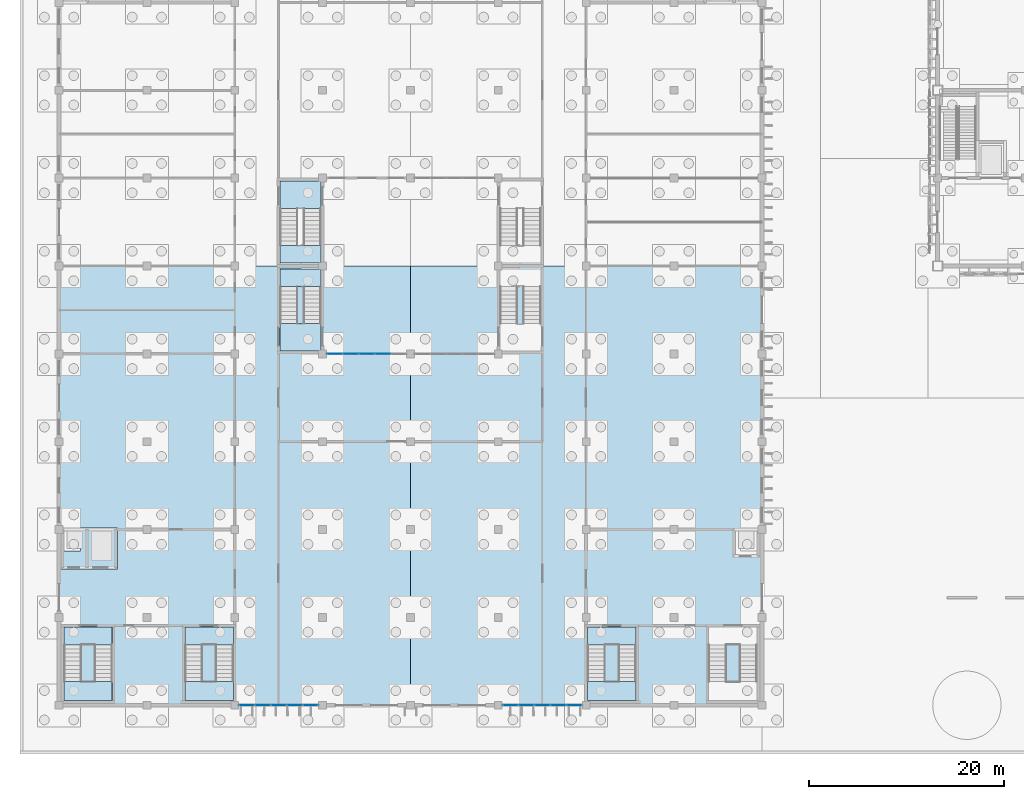
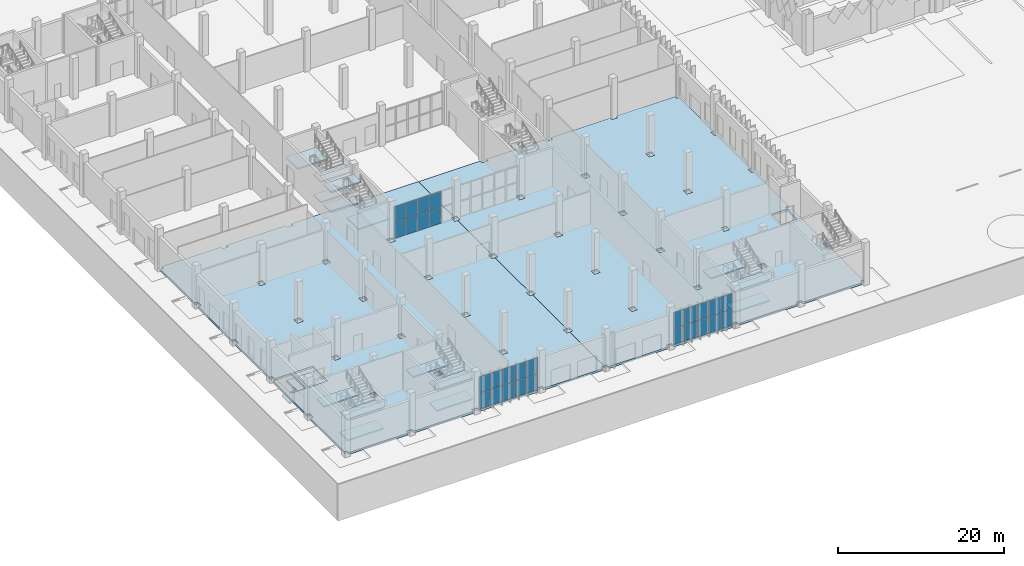
# One storey, part 65 of 198: 28 plates, 18 slabs, 8 elements without a shape of their own.
"""IFC4 building model written with IfcOpenShell, lengths in metres."""

from ifc_helpers import new_model, si_unit, direction, frame, origin, origin_2d, place, context, subcontext, project, spatial, polyline, rectangle, outline, extrude, material, layer, layer_set, type_object, element, aggregate, save


model = new_model("IFC4")

# Units and contexts
model_context = context("Model", 3, precision=1e-05, world=origin(), true_north=direction((0.0, 1.0)))
body_context = subcontext(model_context, "Body", "Model", "MODEL_VIEW")
ifc_project = project(units=[si_unit("LENGTHUNIT", "METRE"), si_unit("AREAUNIT", "SQUARE_METRE"), si_unit("VOLUMEUNIT", "CUBIC_METRE"), si_unit("PLANEANGLEUNIT", "RADIAN"), si_unit("MASSUNIT", "GRAM", prefix="KILO")], contexts=[model_context])

# Site, building, storey
site_placement = place(None, origin())
site = spatial("IfcSite", under=ifc_project, at=site_placement, CompositionType="ELEMENT")
building_placement = place(site_placement, origin())
building = spatial("IfcBuilding", under=site, at=building_placement, Name="Opaline Strait Convention Centre", CompositionType="ELEMENT")
storey_placement = place(building_placement, origin())
storey = spatial("IfcBuildingStorey", under=building, at=storey_placement, Name="L00", CompositionType="ELEMENT", Elevation=0.0)

# Curtain wall, plates
ifc_material_1 = material(Name="Aluminium framed double glazing", Category="aluminium")
ifc_layer_1 = layer(ifc_material_1, 0.199951171875)
ifc_layer_set_1 = layer_set([ifc_layer_1], Name="Aluminium framed double glazing")
curtain_wall_type = type_object("IfcCurtainWallType", Name="Curtain wall 1500 module", PredefinedType="NOTDEFINED", material=ifc_layer_set_1)
curtain_wall_1_placement = place(storey_placement, origin())
curtain_wall_1 = element("IfcCurtainWall", 1, at=curtain_wall_1_placement, inside=storey, type_object=curtain_wall_type, Name="L00 S facade glazing bay 3", PredefinedType="NOTDEFINED")
ifc_material_2 = material(Name="Double glazed unit low emissivity", Category="glass")
ifc_layer_2 = layer(ifc_material_2, 0.028076171875)
ifc_layer_set_2 = layer_set([ifc_layer_2], Name="Double glazed unit low emissivity")
plate_type = type_object("IfcPlateType", Name="Curtain wall glass panel 28", PredefinedType="CURTAIN_PANEL", material=ifc_layer_set_2)
plate_1_placement = place(storey_placement, frame((28.23486328125, 9.0, 0.06005859375), z_axis=(0.0, 0.0, 1.0), x_axis=(1.0, 0.0, 0.0)))
plate_1 = element("IfcPlate", 2, at=plate_1_placement, type_object=plate_type, Name="RCW1 panel 1.1", PredefinedType="CURTAIN_PANEL", context=body_context, shape_type="SweptSolid", body=[
    extrude(rectangle(XDim=1.550048828125, YDim=0.028076171875, at=origin_2d()), origin(), (0.0, 0.0, 1.0), 2.320068359375),
])
plate_2_placement = place(storey_placement, frame((28.23486328125, 9.0, 2.43994140625), z_axis=(0.0, 0.0, 1.0), x_axis=(1.0, 0.0, 0.0)))
plate_2 = element("IfcPlate", 3, at=plate_2_placement, type_object=plate_type, Name="RCW1 panel 1.2", PredefinedType="CURTAIN_PANEL", context=body_context, shape_type="SweptSolid", body=[
    extrude(rectangle(XDim=1.550048828125, YDim=0.028076171875, at=origin_2d()), origin(), (0.0, 0.0, 1.0), 2.320068359375),
])
plate_3_placement = place(storey_placement, frame((29.85986328125, 9.0, 0.06005859375), z_axis=(0.0, 0.0, 1.0), x_axis=(1.0, 0.0, 0.0)))
plate_3 = element("IfcPlate", 4, at=plate_3_placement, type_object=plate_type, Name="RCW1 panel 2.1", PredefinedType="CURTAIN_PANEL", context=body_context, shape_type="SweptSolid", body=[
    extrude(rectangle(XDim=1.580078125, YDim=0.028076171875, at=origin_2d()), origin(), (0.0, 0.0, 1.0), 2.320068359375),
])
plate_4_placement = place(storey_placement, frame((29.85986328125, 9.0, 2.43994140625), z_axis=(0.0, 0.0, 1.0), x_axis=(1.0, 0.0, 0.0)))
plate_4 = element("IfcPlate", 5, at=plate_4_placement, type_object=plate_type, Name="RCW1 panel 2.2", PredefinedType="CURTAIN_PANEL", context=body_context, shape_type="SweptSolid", body=[
    extrude(rectangle(XDim=1.580078125, YDim=0.028076171875, at=origin_2d()), origin(), (0.0, 0.0, 1.0), 2.320068359375),
])
plate_5_placement = place(storey_placement, frame((31.5, 9.0, 0.06005859375), z_axis=(0.0, 0.0, 1.0), x_axis=(1.0, 0.0, 0.0)))
plate_5 = element("IfcPlate", 6, at=plate_5_placement, type_object=plate_type, Name="RCW1 panel 3.1", PredefinedType="CURTAIN_PANEL", context=body_context, shape_type="SweptSolid", body=[
    extrude(rectangle(XDim=1.580078125, YDim=0.028076171875, at=origin_2d()), origin(), (0.0, 0.0, 1.0), 2.320068359375),
])
plate_6_placement = place(storey_placement, frame((31.5, 9.0, 2.43994140625), z_axis=(0.0, 0.0, 1.0), x_axis=(1.0, 0.0, 0.0)))
plate_6 = element("IfcPlate", 7, at=plate_6_placement, type_object=plate_type, Name="RCW1 panel 3.2", PredefinedType="CURTAIN_PANEL", context=body_context, shape_type="SweptSolid", body=[
    extrude(rectangle(XDim=1.580078125, YDim=0.028076171875, at=origin_2d()), origin(), (0.0, 0.0, 1.0), 2.320068359375),
])
plate_7_placement = place(storey_placement, frame((33.14013671875, 9.0, 0.06005859375), z_axis=(0.0, 0.0, 1.0), x_axis=(1.0, 0.0, 0.0)))
plate_7 = element("IfcPlate", 8, at=plate_7_placement, type_object=plate_type, Name="RCW1 panel 4.1", PredefinedType="CURTAIN_PANEL", context=body_context, shape_type="SweptSolid", body=[
    extrude(rectangle(XDim=1.580078125, YDim=0.028076171875, at=origin_2d()), origin(), (0.0, 0.0, 1.0), 2.320068359375),
])
plate_8_placement = place(storey_placement, frame((33.14013671875, 9.0, 2.43994140625), z_axis=(0.0, 0.0, 1.0), x_axis=(1.0, 0.0, 0.0)))
plate_8 = element("IfcPlate", 9, at=plate_8_placement, type_object=plate_type, Name="RCW1 panel 4.2", PredefinedType="CURTAIN_PANEL", context=body_context, shape_type="SweptSolid", body=[
    extrude(rectangle(XDim=1.580078125, YDim=0.028076171875, at=origin_2d()), origin(), (0.0, 0.0, 1.0), 2.320068359375),
])
plate_9_placement = place(storey_placement, frame((34.76513671875, 9.0, 0.06005859375), z_axis=(0.0, 0.0, 1.0), x_axis=(1.0, 0.0, 0.0)))
plate_9 = element("IfcPlate", 10, at=plate_9_placement, type_object=plate_type, Name="RCW1 panel 5.1", PredefinedType="CURTAIN_PANEL", context=body_context, shape_type="SweptSolid", body=[
    extrude(rectangle(XDim=1.550048828125, YDim=0.028076171875, at=origin_2d()), origin(), (0.0, 0.0, 1.0), 2.320068359375),
])
plate_10_placement = place(storey_placement, frame((34.76513671875, 9.0, 2.43994140625), z_axis=(0.0, 0.0, 1.0), x_axis=(1.0, 0.0, 0.0)))
plate_10 = element("IfcPlate", 11, at=plate_10_placement, type_object=plate_type, Name="RCW1 panel 5.2", PredefinedType="CURTAIN_PANEL", context=body_context, shape_type="SweptSolid", body=[
    extrude(rectangle(XDim=1.550048828125, YDim=0.028076171875, at=origin_2d()), origin(), (0.0, 0.0, 1.0), 2.320068359375),
])
aggregate(curtain_wall_1, [plate_1, plate_2, plate_3, plate_4, plate_5, plate_6, plate_7, plate_8, plate_9, plate_10])

curtain_wall_2_placement = place(storey_placement, origin())
curtain_wall_2 = element("IfcCurtainWall", 12, at=curtain_wall_2_placement, inside=storey, type_object=curtain_wall_type, Name="L00 S facade glazing bay 6", PredefinedType="NOTDEFINED")
plate_11_placement = place(storey_placement, frame((55.23486328125, 9.0, 0.06005859375), z_axis=(0.0, 0.0, 1.0), x_axis=(1.0, 0.0, 0.0)))
plate_11 = element("IfcPlate", 13, at=plate_11_placement, type_object=plate_type, Name="RCW1 panel 1.1", PredefinedType="CURTAIN_PANEL", context=body_context, shape_type="SweptSolid", body=[
    extrude(rectangle(XDim=1.550048828125, YDim=0.028076171875, at=origin_2d()), origin(), (0.0, 0.0, 1.0), 2.320068359375),
])
plate_12_placement = place(storey_placement, frame((55.23486328125, 9.0, 2.43994140625), z_axis=(0.0, 0.0, 1.0), x_axis=(1.0, 0.0, 0.0)))
plate_12 = element("IfcPlate", 14, at=plate_12_placement, type_object=plate_type, Name="RCW1 panel 1.2", PredefinedType="CURTAIN_PANEL", context=body_context, shape_type="SweptSolid", body=[
    extrude(rectangle(XDim=1.550048828125, YDim=0.028076171875, at=origin_2d()), origin(), (0.0, 0.0, 1.0), 2.320068359375),
])
plate_13_placement = place(storey_placement, frame((56.85986328125, 9.0, 0.06005859375), z_axis=(0.0, 0.0, 1.0), x_axis=(1.0, 0.0, 0.0)))
plate_13 = element("IfcPlate", 15, at=plate_13_placement, type_object=plate_type, Name="RCW1 panel 2.1", PredefinedType="CURTAIN_PANEL", context=body_context, shape_type="SweptSolid", body=[
    extrude(rectangle(XDim=1.580078125, YDim=0.028076171875, at=origin_2d()), origin(), (0.0, 0.0, 1.0), 2.320068359375),
])
plate_14_placement = place(storey_placement, frame((56.85986328125, 9.0, 2.43994140625), z_axis=(0.0, 0.0, 1.0), x_axis=(1.0, 0.0, 0.0)))
plate_14 = element("IfcPlate", 16, at=plate_14_placement, type_object=plate_type, Name="RCW1 panel 2.2", PredefinedType="CURTAIN_PANEL", context=body_context, shape_type="SweptSolid", body=[
    extrude(rectangle(XDim=1.580078125, YDim=0.028076171875, at=origin_2d()), origin(), (0.0, 0.0, 1.0), 2.320068359375),
])
plate_15_placement = place(storey_placement, frame((58.5, 9.0, 0.06005859375), z_axis=(0.0, 0.0, 1.0), x_axis=(1.0, 0.0, 0.0)))
plate_15 = element("IfcPlate", 17, at=plate_15_placement, type_object=plate_type, Name="RCW1 panel 3.1", PredefinedType="CURTAIN_PANEL", context=body_context, shape_type="SweptSolid", body=[
    extrude(rectangle(XDim=1.580078125, YDim=0.028076171875, at=origin_2d()), origin(), (0.0, 0.0, 1.0), 2.320068359375),
])
plate_16_placement = place(storey_placement, frame((58.5, 9.0, 2.43994140625), z_axis=(0.0, 0.0, 1.0), x_axis=(1.0, 0.0, 0.0)))
plate_16 = element("IfcPlate", 18, at=plate_16_placement, type_object=plate_type, Name="RCW1 panel 3.2", PredefinedType="CURTAIN_PANEL", context=body_context, shape_type="SweptSolid", body=[
    extrude(rectangle(XDim=1.580078125, YDim=0.028076171875, at=origin_2d()), origin(), (0.0, 0.0, 1.0), 2.320068359375),
])
plate_17_placement = place(storey_placement, frame((60.14013671875, 9.0, 0.06005859375), z_axis=(0.0, 0.0, 1.0), x_axis=(1.0, 0.0, 0.0)))
plate_17 = element("IfcPlate", 19, at=plate_17_placement, type_object=plate_type, Name="RCW1 panel 4.1", PredefinedType="CURTAIN_PANEL", context=body_context, shape_type="SweptSolid", body=[
    extrude(rectangle(XDim=1.580078125, YDim=0.028076171875, at=origin_2d()), origin(), (0.0, 0.0, 1.0), 2.320068359375),
])
plate_18_placement = place(storey_placement, frame((60.14013671875, 9.0, 2.43994140625), z_axis=(0.0, 0.0, 1.0), x_axis=(1.0, 0.0, 0.0)))
plate_18 = element("IfcPlate", 20, at=plate_18_placement, type_object=plate_type, Name="RCW1 panel 4.2", PredefinedType="CURTAIN_PANEL", context=body_context, shape_type="SweptSolid", body=[
    extrude(rectangle(XDim=1.580078125, YDim=0.028076171875, at=origin_2d()), origin(), (0.0, 0.0, 1.0), 2.320068359375),
])
plate_19_placement = place(storey_placement, frame((61.76513671875, 9.0, 0.06005859375), z_axis=(0.0, 0.0, 1.0), x_axis=(1.0, 0.0, 0.0)))
plate_19 = element("IfcPlate", 21, at=plate_19_placement, type_object=plate_type, Name="RCW1 panel 5.1", PredefinedType="CURTAIN_PANEL", context=body_context, shape_type="SweptSolid", body=[
    extrude(rectangle(XDim=1.550048828125, YDim=0.028076171875, at=origin_2d()), origin(), (0.0, 0.0, 1.0), 2.320068359375),
])
plate_20_placement = place(storey_placement, frame((61.76513671875, 9.0, 2.43994140625), z_axis=(0.0, 0.0, 1.0), x_axis=(1.0, 0.0, 0.0)))
plate_20 = element("IfcPlate", 22, at=plate_20_placement, type_object=plate_type, Name="RCW1 panel 5.2", PredefinedType="CURTAIN_PANEL", context=body_context, shape_type="SweptSolid", body=[
    extrude(rectangle(XDim=1.550048828125, YDim=0.028076171875, at=origin_2d()), origin(), (0.0, 0.0, 1.0), 2.320068359375),
])
aggregate(curtain_wall_2, [plate_11, plate_12, plate_13, plate_14, plate_15, plate_16, plate_17, plate_18, plate_19, plate_20])

curtain_wall_3_placement = place(storey_placement, origin())
curtain_wall_3 = element("IfcCurtainWall", 23, at=curtain_wall_3_placement, inside=storey, type_object=curtain_wall_type, Name="L00 court glazing Sc 1", PredefinedType="NOTDEFINED")
plate_21_placement = place(storey_placement, frame((37.23486328125, 45.0, 0.06005859375), z_axis=(0.0, 0.0, 1.0), x_axis=(1.0, 0.0, 0.0)))
plate_21 = element("IfcPlate", 24, at=plate_21_placement, type_object=plate_type, Name="RCW1 panel 1.1", PredefinedType="CURTAIN_PANEL", context=body_context, shape_type="SweptSolid", body=[
    extrude(rectangle(XDim=1.550048828125, YDim=0.028076171875, at=origin_2d()), origin(), (0.0, 0.0, 1.0), 2.320068359375),
])
plate_22_placement = place(storey_placement, frame((37.23486328125, 45.0, 2.43994140625), z_axis=(0.0, 0.0, 1.0), x_axis=(1.0, 0.0, 0.0)))
plate_22 = element("IfcPlate", 25, at=plate_22_placement, type_object=plate_type, Name="RCW1 panel 1.2", PredefinedType="CURTAIN_PANEL", context=body_context, shape_type="SweptSolid", body=[
    extrude(rectangle(XDim=1.550048828125, YDim=0.028076171875, at=origin_2d()), origin(), (0.0, 0.0, 1.0), 2.320068359375),
])
plate_23_placement = place(storey_placement, frame((38.85986328125, 45.0, 0.06005859375), z_axis=(0.0, 0.0, 1.0), x_axis=(1.0, 0.0, 0.0)))
plate_23 = element("IfcPlate", 26, at=plate_23_placement, type_object=plate_type, Name="RCW1 panel 2.1", PredefinedType="CURTAIN_PANEL", context=body_context, shape_type="SweptSolid", body=[
    extrude(rectangle(XDim=1.580078125, YDim=0.028076171875, at=origin_2d()), origin(), (0.0, 0.0, 1.0), 2.320068359375),
])
plate_24_placement = place(storey_placement, frame((38.85986328125, 45.0, 2.43994140625), z_axis=(0.0, 0.0, 1.0), x_axis=(1.0, 0.0, 0.0)))
plate_24 = element("IfcPlate", 27, at=plate_24_placement, type_object=plate_type, Name="RCW1 panel 2.2", PredefinedType="CURTAIN_PANEL", context=body_context, shape_type="SweptSolid", body=[
    extrude(rectangle(XDim=1.580078125, YDim=0.028076171875, at=origin_2d()), origin(), (0.0, 0.0, 1.0), 2.320068359375),
])
plate_25_placement = place(storey_placement, frame((40.5, 45.0, 0.06005859375), z_axis=(0.0, 0.0, 1.0), x_axis=(1.0, 0.0, 0.0)))
plate_25 = element("IfcPlate", 28, at=plate_25_placement, type_object=plate_type, Name="RCW1 panel 3.1", PredefinedType="CURTAIN_PANEL", context=body_context, shape_type="SweptSolid", body=[
    extrude(rectangle(XDim=1.580078125, YDim=0.028076171875, at=origin_2d()), origin(), (0.0, 0.0, 1.0), 2.320068359375),
])
plate_26_placement = place(storey_placement, frame((40.5, 45.0, 2.43994140625), z_axis=(0.0, 0.0, 1.0), x_axis=(1.0, 0.0, 0.0)))
plate_26 = element("IfcPlate", 29, at=plate_26_placement, type_object=plate_type, Name="RCW1 panel 3.2", PredefinedType="CURTAIN_PANEL", context=body_context, shape_type="SweptSolid", body=[
    extrude(rectangle(XDim=1.580078125, YDim=0.028076171875, at=origin_2d()), origin(), (0.0, 0.0, 1.0), 2.320068359375),
])
plate_27_placement = place(storey_placement, frame((42.14013671875, 45.0, 0.06005859375), z_axis=(0.0, 0.0, 1.0), x_axis=(1.0, 0.0, 0.0)))
plate_27 = element("IfcPlate", 30, at=plate_27_placement, type_object=plate_type, Name="RCW1 panel 4.1", PredefinedType="CURTAIN_PANEL", context=body_context, shape_type="SweptSolid", body=[
    extrude(rectangle(XDim=1.580078125, YDim=0.028076171875, at=origin_2d()), origin(), (0.0, 0.0, 1.0), 2.320068359375),
])
plate_28_placement = place(storey_placement, frame((42.14013671875, 45.0, 2.43994140625), z_axis=(0.0, 0.0, 1.0), x_axis=(1.0, 0.0, 0.0)))
plate_28 = element("IfcPlate", 31, at=plate_28_placement, type_object=plate_type, Name="RCW1 panel 4.2", PredefinedType="CURTAIN_PANEL", context=body_context, shape_type="SweptSolid", body=[
    extrude(rectangle(XDim=1.580078125, YDim=0.028076171875, at=origin_2d()), origin(), (0.0, 0.0, 1.0), 2.320068359375),
])
aggregate(curtain_wall_3, [plate_21, plate_22, plate_23, plate_24, plate_25, plate_26, plate_27, plate_28])

# Slabs
ifc_material_3 = material(Name="Concrete C35", Category="concrete")
ifc_layer_3 = layer(ifc_material_3, 0.300048828125)
ifc_layer_set_3 = layer_set([ifc_layer_3], Name="Concrete C35")
slab_type_1 = type_object("IfcSlabType", Name="Lift pit slab 300 C35", PredefinedType="BASESLAB", material=ifc_layer_set_3)
slab_1_placement = place(storey_placement, frame((0.0, 0.0, -1.300048828125)))
element("IfcSlab", 32, at=slab_1_placement, inside=storey, type_object=slab_type_1, Name="Lift pit slab SW", PredefinedType="BASESLAB", context=body_context, shape_type="SweptSolid", body=[
    extrude(outline(polyline([(15.0, 27.14990234375), (15.0, 22.949951171875), (12.0, 22.949951171875), (11.699951171875, 22.949951171875), (9.199951171875, 22.949951171875), (9.199951171875, 24.800048828125), (11.199951171875, 24.800048828125), (11.199951171875, 27.14990234375), (11.699951171875, 27.14990234375), (12.0, 27.14990234375), (15.0, 27.14990234375)])), origin(), (0.0, 0.0, 1.0), 0.300048828125),
])
ifc_material_4 = material(Name="Concrete C30", Category="concrete")
ifc_layer_4 = layer(ifc_material_4, 0.300048828125)
ifc_layer_set_4 = layer_set([ifc_layer_4], Name="Concrete C30")
slab_type_2 = type_object("IfcSlabType", Name="RC ground slab 300 C30", PredefinedType="BASESLAB", material=ifc_layer_set_4)
slab_2_placement = place(storey_placement, frame((0.0, 0.0, -0.300048828125)))
element("IfcSlab", 33, at=slab_2_placement, inside=storey, type_object=slab_type_2, Name="MGS1 slab L00 pour SW1", PredefinedType="BASESLAB", context=body_context, shape_type="SweptSolid", body=[
    extrude(outline(polyline([(44.60009765625, 9.39990234375), (44.60009765625, 9.0), (36.39990234375, 9.0), (36.39990234375, 9.39990234375), (35.60009765625, 9.39990234375), (35.60009765625, 9.0), (27.39990234375, 9.0), (27.39990234375, 9.39990234375), (26.60009765625, 9.39990234375), (26.60009765625, 9.0), (18.39990234375, 9.0), (18.39990234375, 9.39990234375), (17.60009765625, 9.39990234375), (17.60009765625, 9.0), (9.39990234375, 9.0), (9.39990234375, 9.39990234375), (9.0, 9.39990234375), (9.0, 17.60009765625), (9.39990234375, 17.60009765625), (9.39990234375, 18.39990234375), (9.0, 18.39990234375), (9.0, 26.60009765625), (9.39990234375, 26.60009765625), (9.39990234375, 27.39990234375), (9.0, 27.39990234375), (9.0, 35.60009765625), (9.39990234375, 35.60009765625), (9.39990234375, 36.39990234375), (9.0, 36.39990234375), (9.0, 44.60009765625), (9.39990234375, 44.60009765625), (9.39990234375, 45.39990234375), (9.0, 45.39990234375), (9.0, 53.60009765625), (9.39990234375, 53.60009765625), (9.39990234375, 54.0), (17.60009765625, 54.0), (17.60009765625, 53.60009765625), (18.39990234375, 53.60009765625), (18.39990234375, 54.0), (26.60009765625, 54.0), (26.60009765625, 53.60009765625), (27.39990234375, 53.60009765625), (27.39990234375, 54.0), (35.60009765625, 54.0), (35.60009765625, 53.60009765625), (36.39990234375, 53.60009765625), (36.39990234375, 54.0), (45.0, 54.0), (45.0, 45.39990234375), (44.60009765625, 45.39990234375), (44.60009765625, 44.60009765625), (45.0, 44.60009765625), (45.0, 36.39990234375), (44.60009765625, 36.39990234375), (44.60009765625, 35.60009765625), (45.0, 35.60009765625), (45.0, 27.39990234375), (44.60009765625, 27.39990234375), (44.60009765625, 26.60009765625), (45.0, 26.60009765625), (45.0, 18.39990234375), (44.60009765625, 18.39990234375), (44.60009765625, 17.60009765625), (45.0, 17.60009765625), (45.0, 9.39990234375), (44.60009765625, 9.39990234375)]), holes=[polyline([(18.39990234375, 17.60009765625), (18.39990234375, 18.39990234375), (17.60009765625, 18.39990234375), (17.60009765625, 17.60009765625), (18.39990234375, 17.60009765625)]), polyline([(12.0, 23.25), (14.699951171875, 23.25), (14.699951171875, 26.85009765625), (12.0, 26.85009765625), (12.0, 23.25)]), polyline([(9.5, 23.25), (11.699951171875, 23.25), (11.699951171875, 26.85009765625), (9.5, 26.85009765625), (9.5, 23.25)]), polyline([(17.60009765625, 26.60009765625), (18.39990234375, 26.60009765625), (18.39990234375, 27.39990234375), (17.60009765625, 27.39990234375), (17.60009765625, 26.60009765625)]), polyline([(26.60009765625, 35.60009765625), (27.39990234375, 35.60009765625), (27.39990234375, 36.39990234375), (26.60009765625, 36.39990234375), (26.60009765625, 35.60009765625)]), polyline([(17.60009765625, 35.60009765625), (18.39990234375, 35.60009765625), (18.39990234375, 36.39990234375), (17.60009765625, 36.39990234375), (17.60009765625, 35.60009765625)]), polyline([(17.60009765625, 44.60009765625), (18.39990234375, 44.60009765625), (18.39990234375, 45.39990234375), (17.60009765625, 45.39990234375), (17.60009765625, 44.60009765625)]), polyline([(27.39990234375, 17.60009765625), (27.39990234375, 18.39990234375), (26.60009765625, 18.39990234375), (26.60009765625, 17.60009765625), (27.39990234375, 17.60009765625)]), polyline([(35.60009765625, 17.60009765625), (36.39990234375, 17.60009765625), (36.39990234375, 18.39990234375), (35.60009765625, 18.39990234375), (35.60009765625, 17.60009765625)]), polyline([(26.60009765625, 26.60009765625), (27.39990234375, 26.60009765625), (27.39990234375, 27.39990234375), (26.60009765625, 27.39990234375), (26.60009765625, 26.60009765625)]), polyline([(36.39990234375, 26.60009765625), (36.39990234375, 27.39990234375), (35.60009765625, 27.39990234375), (35.60009765625, 26.60009765625), (36.39990234375, 26.60009765625)]), polyline([(35.60009765625, 35.60009765625), (36.39990234375, 35.60009765625), (36.39990234375, 36.39990234375), (35.60009765625, 36.39990234375), (35.60009765625, 35.60009765625)]), polyline([(26.60009765625, 44.60009765625), (27.39990234375, 44.60009765625), (27.39990234375, 45.39990234375), (26.60009765625, 45.39990234375), (26.60009765625, 44.60009765625)]), polyline([(35.60009765625, 44.60009765625), (36.39990234375, 44.60009765625), (36.39990234375, 45.39990234375), (35.60009765625, 45.39990234375), (35.60009765625, 44.60009765625)])]), origin(), (0.0, 0.0, 1.0), 0.300048828125),
])
slab_3_placement = place(storey_placement, frame((0.0, 0.0, -0.300048828125)))
element("IfcSlab", 34, at=slab_3_placement, inside=storey, type_object=slab_type_2, Name="MGS1 slab L00 pour SE1", PredefinedType="BASESLAB", context=body_context, shape_type="SweptSolid", body=[
    extrude(outline(polyline([(80.60009765625, 9.39990234375), (80.60009765625, 9.0), (72.39990234375, 9.0), (72.39990234375, 9.39990234375), (71.60009765625, 9.39990234375), (71.60009765625, 9.0), (63.39990234375, 9.0), (63.39990234375, 9.39990234375), (62.60009765625, 9.39990234375), (62.60009765625, 9.0), (54.39990234375, 9.0), (54.39990234375, 9.39990234375), (53.60009765625, 9.39990234375), (53.60009765625, 9.0), (45.39990234375, 9.0), (45.39990234375, 9.39990234375), (45.0, 9.39990234375), (45.0, 17.60009765625), (45.39990234375, 17.60009765625), (45.39990234375, 18.39990234375), (45.0, 18.39990234375), (45.0, 26.60009765625), (45.39990234375, 26.60009765625), (45.39990234375, 27.39990234375), (45.0, 27.39990234375), (45.0, 35.60009765625), (45.39990234375, 35.60009765625), (45.39990234375, 36.39990234375), (45.0, 36.39990234375), (45.0, 44.60009765625), (45.39990234375, 44.60009765625), (45.39990234375, 45.39990234375), (45.0, 45.39990234375), (45.0, 54.0), (53.60009765625, 54.0), (53.60009765625, 53.60009765625), (54.39990234375, 53.60009765625), (54.39990234375, 54.0), (62.60009765625, 54.0), (62.60009765625, 53.60009765625), (63.39990234375, 53.60009765625), (63.39990234375, 54.0), (71.60009765625, 54.0), (71.60009765625, 53.60009765625), (72.39990234375, 53.60009765625), (72.39990234375, 54.0), (80.60009765625, 54.0), (80.60009765625, 53.60009765625), (81.0, 53.60009765625), (81.0, 45.39990234375), (80.60009765625, 45.39990234375), (80.60009765625, 44.60009765625), (81.0, 44.60009765625), (81.0, 36.39990234375), (80.60009765625, 36.39990234375), (80.60009765625, 35.60009765625), (81.0, 35.60009765625), (81.0, 27.39990234375), (80.60009765625, 27.39990234375), (80.60009765625, 26.60009765625), (81.0, 26.60009765625), (81.0, 18.39990234375), (80.60009765625, 18.39990234375), (80.60009765625, 17.60009765625), (81.0, 17.60009765625), (81.0, 9.39990234375), (80.60009765625, 9.39990234375)]), holes=[polyline([(63.39990234375, 17.60009765625), (63.39990234375, 18.39990234375), (62.60009765625, 18.39990234375), (62.60009765625, 17.60009765625), (63.39990234375, 17.60009765625)]), polyline([(53.60009765625, 17.60009765625), (54.39990234375, 17.60009765625), (54.39990234375, 18.39990234375), (53.60009765625, 18.39990234375), (53.60009765625, 17.60009765625)]), polyline([(53.60009765625, 26.60009765625), (54.39990234375, 26.60009765625), (54.39990234375, 27.39990234375), (53.60009765625, 27.39990234375), (53.60009765625, 26.60009765625)]), polyline([(63.39990234375, 26.60009765625), (63.39990234375, 27.39990234375), (62.60009765625, 27.39990234375), (62.60009765625, 26.60009765625), (63.39990234375, 26.60009765625)]), polyline([(53.60009765625, 35.60009765625), (54.39990234375, 35.60009765625), (54.39990234375, 36.39990234375), (53.60009765625, 36.39990234375), (53.60009765625, 35.60009765625)]), polyline([(62.60009765625, 44.60009765625), (63.39990234375, 44.60009765625), (63.39990234375, 45.39990234375), (62.60009765625, 45.39990234375), (62.60009765625, 44.60009765625)]), polyline([(53.60009765625, 44.60009765625), (54.39990234375, 44.60009765625), (54.39990234375, 45.39990234375), (53.60009765625, 45.39990234375), (53.60009765625, 44.60009765625)]), polyline([(71.60009765625, 17.60009765625), (72.39990234375, 17.60009765625), (72.39990234375, 18.39990234375), (71.60009765625, 18.39990234375), (71.60009765625, 17.60009765625)]), polyline([(78.300048828125, 24.449951171875), (80.5, 24.449951171875), (80.5, 26.85009765625), (78.300048828125, 26.85009765625), (78.300048828125, 24.449951171875)]), polyline([(72.39990234375, 26.60009765625), (72.39990234375, 27.39990234375), (71.60009765625, 27.39990234375), (71.60009765625, 26.60009765625), (72.39990234375, 26.60009765625)]), polyline([(62.60009765625, 35.60009765625), (63.39990234375, 35.60009765625), (63.39990234375, 36.39990234375), (62.60009765625, 36.39990234375), (62.60009765625, 35.60009765625)]), polyline([(71.60009765625, 35.60009765625), (72.39990234375, 35.60009765625), (72.39990234375, 36.39990234375), (71.60009765625, 36.39990234375), (71.60009765625, 35.60009765625)]), polyline([(71.60009765625, 44.60009765625), (72.39990234375, 44.60009765625), (72.39990234375, 45.39990234375), (71.60009765625, 45.39990234375), (71.60009765625, 44.60009765625)])]), origin(), (0.0, 0.0, 1.0), 0.300048828125),
])

# Stair, slabs
ifc_material_5 = material(Name="Concrete C40", Category="concrete")
stair_type = type_object("IfcStairType", Name="Exit stair two flights 1800 C40", PredefinedType="HALF_TURN_STAIR", material=ifc_material_5)
stair_1_placement = place(storey_placement, origin())
stair_1 = element("IfcStair", 35, at=stair_1_placement, inside=storey, type_object=stair_type, Name="L00 SWA", ObjectType="RST1", PredefinedType="HALF_TURN_STAIR")
ifc_layer_5 = layer(ifc_material_5, 0.199951171875)
ifc_layer_set_5 = layer_set([ifc_layer_5], Name="Concrete C40")
slab_type_3 = type_object("IfcSlabType", Name="Stair landing 200 C40", PredefinedType="LANDING", material=ifc_layer_set_5)
slab_4_placement = place(storey_placement, frame((0.0, 0.0, 1.300048828125)))
slab_4 = element("IfcSlab", 36, at=slab_4_placement, type_object=slab_type_3, Name="SWA landing 1", ObjectType="RSL1", PredefinedType="LANDING", context=body_context, shape_type="SweptSolid", body=[
    extrude(outline(polyline([(9.5, 11.419921875), (9.5, 9.5), (14.449951171875, 9.5), (14.449951171875, 11.419921875), (9.5, 11.419921875)])), origin(), (0.0, 0.0, 1.0), 0.199951171875),
])
slab_5_placement = place(storey_placement, frame((0.0, 0.0, 2.800048828125)))
slab_5 = element("IfcSlab", 37, at=slab_5_placement, type_object=slab_type_3, Name="SWA landing 2", ObjectType="RSL1", PredefinedType="LANDING", context=body_context, shape_type="SweptSolid", body=[
    extrude(outline(polyline([(9.5, 17.0), (9.5, 15.199951171875), (14.449951171875, 15.199951171875), (14.449951171875, 17.0), (9.5, 17.0)])), origin(), (0.0, 0.0, 1.0), 0.199951171875),
])
slab_6_placement = place(storey_placement, frame((0.0, 0.0, 4.300048828125)))
slab_6 = element("IfcSlab", 38, at=slab_6_placement, type_object=slab_type_3, Name="SWA landing 3", ObjectType="RSL1", PredefinedType="LANDING", context=body_context, shape_type="SweptSolid", body=[
    extrude(outline(polyline([(9.5, 11.419921875), (9.5, 9.5), (14.449951171875, 9.5), (14.449951171875, 11.419921875), (9.5, 11.419921875)])), origin(), (0.0, 0.0, 1.0), 0.199951171875),
])
aggregate(stair_1, [slab_4, slab_5, slab_6])

stair_2_placement = place(storey_placement, origin())
stair_2 = element("IfcStair", 39, at=stair_2_placement, inside=storey, type_object=stair_type, Name="L00 SWB", ObjectType="RST1", PredefinedType="HALF_TURN_STAIR")
slab_7_placement = place(storey_placement, frame((0.0, 0.0, 1.300048828125)))
slab_7 = element("IfcSlab", 40, at=slab_7_placement, type_object=slab_type_3, Name="SWB landing 1", ObjectType="RSL1", PredefinedType="LANDING", context=body_context, shape_type="SweptSolid", body=[
    extrude(outline(polyline([(21.89990234375, 11.419921875), (21.89990234375, 9.5), (26.85009765625, 9.5), (26.85009765625, 11.419921875), (21.89990234375, 11.419921875)])), origin(), (0.0, 0.0, 1.0), 0.199951171875),
])
slab_8_placement = place(storey_placement, frame((0.0, 0.0, 2.800048828125)))
slab_8 = element("IfcSlab", 41, at=slab_8_placement, type_object=slab_type_3, Name="SWB landing 2", ObjectType="RSL1", PredefinedType="LANDING", context=body_context, shape_type="SweptSolid", body=[
    extrude(outline(polyline([(21.89990234375, 17.0), (21.89990234375, 15.199951171875), (26.85009765625, 15.199951171875), (26.85009765625, 17.0), (21.89990234375, 17.0)])), origin(), (0.0, 0.0, 1.0), 0.199951171875),
])
slab_9_placement = place(storey_placement, frame((0.0, 0.0, 4.300048828125)))
slab_9 = element("IfcSlab", 42, at=slab_9_placement, type_object=slab_type_3, Name="SWB landing 3", ObjectType="RSL1", PredefinedType="LANDING", context=body_context, shape_type="SweptSolid", body=[
    extrude(outline(polyline([(21.89990234375, 11.419921875), (21.89990234375, 9.5), (26.85009765625, 9.5), (26.85009765625, 11.419921875), (21.89990234375, 11.419921875)])), origin(), (0.0, 0.0, 1.0), 0.199951171875),
])
aggregate(stair_2, [slab_7, slab_8, slab_9])

stair_3_placement = place(storey_placement, origin())
stair_3 = element("IfcStair", 43, at=stair_3_placement, inside=storey, type_object=stair_type, Name="L00 SEB", ObjectType="RST1", PredefinedType="HALF_TURN_STAIR")
slab_10_placement = place(storey_placement, frame((0.0, 0.0, 1.300048828125)))
slab_10 = element("IfcSlab", 44, at=slab_10_placement, type_object=slab_type_3, Name="SEB landing 1", ObjectType="RSL1", PredefinedType="LANDING", context=body_context, shape_type="SweptSolid", body=[
    extrude(outline(polyline([(63.14990234375, 11.419921875), (63.14990234375, 9.5), (68.10009765625, 9.5), (68.10009765625, 11.419921875), (63.14990234375, 11.419921875)])), origin(), (0.0, 0.0, 1.0), 0.199951171875),
])
slab_11_placement = place(storey_placement, frame((0.0, 0.0, 2.800048828125)))
slab_11 = element("IfcSlab", 45, at=slab_11_placement, type_object=slab_type_3, Name="SEB landing 2", ObjectType="RSL1", PredefinedType="LANDING", context=body_context, shape_type="SweptSolid", body=[
    extrude(outline(polyline([(63.14990234375, 17.0), (63.14990234375, 15.199951171875), (68.10009765625, 15.199951171875), (68.10009765625, 17.0), (63.14990234375, 17.0)])), origin(), (0.0, 0.0, 1.0), 0.199951171875),
])
slab_12_placement = place(storey_placement, frame((0.0, 0.0, 4.300048828125)))
slab_12 = element("IfcSlab", 46, at=slab_12_placement, type_object=slab_type_3, Name="SEB landing 3", ObjectType="RSL1", PredefinedType="LANDING", context=body_context, shape_type="SweptSolid", body=[
    extrude(outline(polyline([(63.14990234375, 11.419921875), (63.14990234375, 9.5), (68.10009765625, 9.5), (68.10009765625, 11.419921875), (63.14990234375, 11.419921875)])), origin(), (0.0, 0.0, 1.0), 0.199951171875),
])
aggregate(stair_3, [slab_10, slab_11, slab_12])

stair_4_placement = place(storey_placement, origin())
stair_4 = element("IfcStair", 47, at=stair_4_placement, inside=storey, type_object=stair_type, Name="L00 MW1", ObjectType="RST1", PredefinedType="HALF_TURN_STAIR")
slab_13_placement = place(storey_placement, frame((0.0, 0.0, 1.300048828125)))
slab_13 = element("IfcSlab", 48, at=slab_13_placement, type_object=slab_type_3, Name="MW1 landing 1", ObjectType="RSL1", PredefinedType="LANDING", context=body_context, shape_type="SweptSolid", body=[
    extrude(outline(polyline([(35.85009765625, 51.8798828125), (35.85009765625, 53.699951171875), (31.64990234375, 53.699951171875), (31.64990234375, 51.8798828125), (35.85009765625, 51.8798828125)])), origin(), (0.0, 0.0, 1.0), 0.199951171875),
])
slab_14_placement = place(storey_placement, frame((0.0, 0.0, 2.800048828125)))
slab_14 = element("IfcSlab", 49, at=slab_14_placement, type_object=slab_type_3, Name="MW1 landing 2", ObjectType="RSL1", PredefinedType="LANDING", context=body_context, shape_type="SweptSolid", body=[
    extrude(outline(polyline([(35.85009765625, 45.300048828125), (35.85009765625, 48.10009765625), (31.64990234375, 48.10009765625), (31.64990234375, 45.300048828125), (35.85009765625, 45.300048828125)])), origin(), (0.0, 0.0, 1.0), 0.199951171875),
])
slab_15_placement = place(storey_placement, frame((0.0, 0.0, 4.300048828125)))
slab_15 = element("IfcSlab", 50, at=slab_15_placement, type_object=slab_type_3, Name="MW1 landing 3", ObjectType="RSL1", PredefinedType="LANDING", context=body_context, shape_type="SweptSolid", body=[
    extrude(outline(polyline([(35.85009765625, 51.8798828125), (35.85009765625, 53.699951171875), (31.64990234375, 53.699951171875), (31.64990234375, 51.8798828125), (35.85009765625, 51.8798828125)])), origin(), (0.0, 0.0, 1.0), 0.199951171875),
])
aggregate(stair_4, [slab_13, slab_14, slab_15])

stair_5_placement = place(storey_placement, origin())
stair_5 = element("IfcStair", 51, at=stair_5_placement, inside=storey, type_object=stair_type, Name="L00 MW2", ObjectType="RST1", PredefinedType="HALF_TURN_STAIR")
slab_16_placement = place(storey_placement, frame((0.0, 0.0, 1.300048828125)))
slab_16 = element("IfcSlab", 52, at=slab_16_placement, type_object=slab_type_3, Name="MW2 landing 1", ObjectType="RSL1", PredefinedType="LANDING", context=body_context, shape_type="SweptSolid", body=[
    extrude(outline(polyline([(31.64990234375, 56.1201171875), (31.64990234375, 54.300048828125), (35.85009765625, 54.300048828125), (35.85009765625, 56.1201171875), (31.64990234375, 56.1201171875)])), origin(), (0.0, 0.0, 1.0), 0.199951171875),
])
slab_17_placement = place(storey_placement, frame((0.0, 0.0, 2.800048828125)))
slab_17 = element("IfcSlab", 53, at=slab_17_placement, type_object=slab_type_3, Name="MW2 landing 2", ObjectType="RSL1", PredefinedType="LANDING", context=body_context, shape_type="SweptSolid", body=[
    extrude(outline(polyline([(31.64990234375, 62.699951171875), (31.64990234375, 59.89990234375), (35.85009765625, 59.89990234375), (35.85009765625, 62.699951171875), (31.64990234375, 62.699951171875)])), origin(), (0.0, 0.0, 1.0), 0.199951171875),
])
slab_18_placement = place(storey_placement, frame((0.0, 0.0, 4.300048828125)))
slab_18 = element("IfcSlab", 54, at=slab_18_placement, type_object=slab_type_3, Name="MW2 landing 3", ObjectType="RSL1", PredefinedType="LANDING", context=body_context, shape_type="SweptSolid", body=[
    extrude(outline(polyline([(31.64990234375, 56.1201171875), (31.64990234375, 54.300048828125), (35.85009765625, 54.300048828125), (35.85009765625, 56.1201171875), (31.64990234375, 56.1201171875)])), origin(), (0.0, 0.0, 1.0), 0.199951171875),
])
aggregate(stair_5, [slab_16, slab_17, slab_18])

save(model, "model.ifc")
